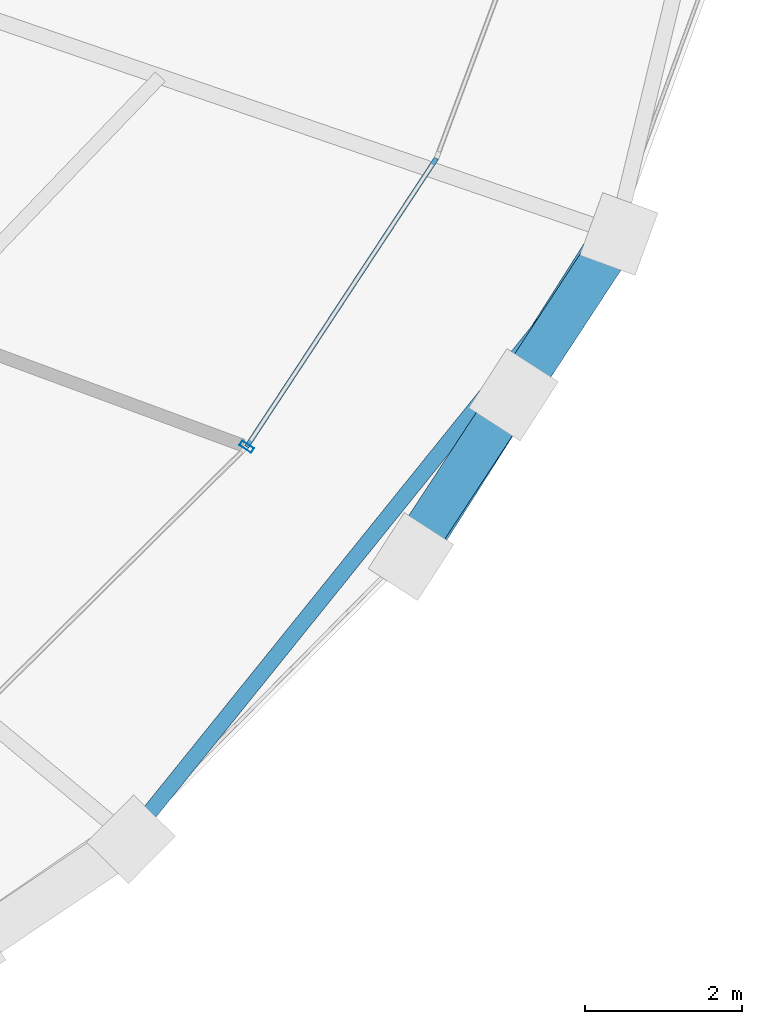
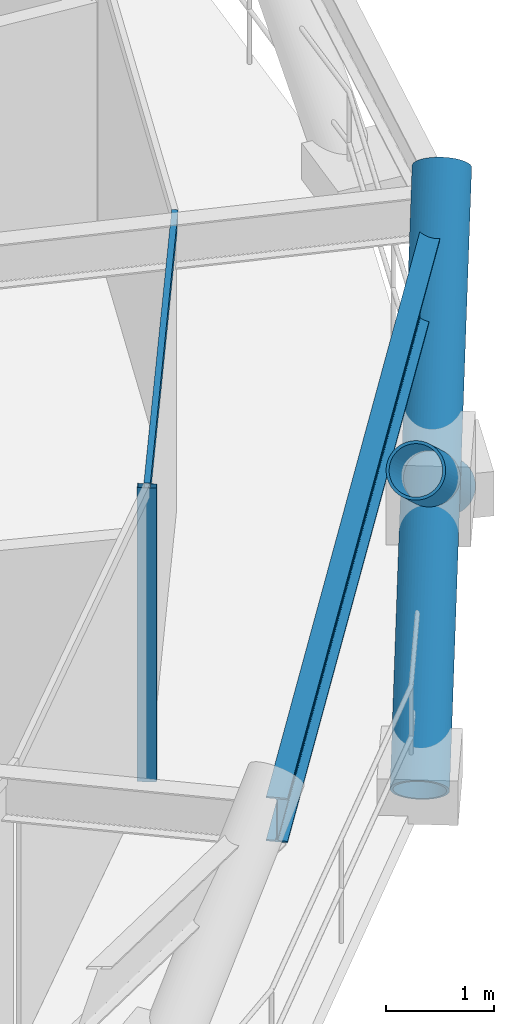
# One storey, part 6 of 20: 5 members, 1 beam, 1 element without a shape of its own.
"""IFC4 building model written with IfcOpenShell, lengths in metres."""

import ifcopenshell
import ifcopenshell.guid

model = None  # the IFC model being written
_history = None  # IfcOwnerHistory: only IFC2X3 demands one
_inside = {}  # id of a spatial element -> (the spatial element, [elements in it])
_under = {}  # id of a project, library or spatial element -> (it, [spatial elements below it])
_declared = {}  # id of a project -> (the project, [libraries it declares])
_typed = {}  # id of a type object -> (the type object, [elements of that type])
_made_of = {}  # id of a material, layer set ... -> (it, [elements and type objects made of it])


def new_model(schema):
    """Start an empty IFC model of exactly this schema.

    Asked for "IFC4X3", IfcOpenShell would pick the latest addendum, in which some entities
    have other attributes; the version numbers below select the first issue.
    IFC2X3 requires an IfcOwnerHistory on every rooted entity: one is made here for all.
    """
    global model, _history
    if schema == "IFC4X3":
        model = ifcopenshell.file(schema_version=(4, 3, 0, 0))
    else:
        model = ifcopenshell.file(schema=schema)
    _inside.clear()
    _under.clear()
    _declared.clear()
    _typed.clear()
    _made_of.clear()
    _history = None
    if model.schema == "IFC2X3":
        org = make("IfcOrganization", Name="unknown")
        user = make(
            "IfcPersonAndOrganization",
            ThePerson=make("IfcPerson", FamilyName="unknown"),
            TheOrganization=org,
        )
        app = make(
            "IfcApplication",
            ApplicationDeveloper=org,
            Version="unknown",
            ApplicationFullName="unknown",
            ApplicationIdentifier="unknown",
        )
        _history = make(
            "IfcOwnerHistory",
            OwningUser=user,
            OwningApplication=app,
            ChangeAction="ADDED",
            CreationDate=0,
        )
    return model


def make(cls, **values):
    """One entity of the class cls with the attributes given. An attribute that is None is left unset."""
    return model.create_entity(
        cls, **{name: value for name, value in values.items() if value is not None}
    )


def rooted(cls, **values):
    """An entity with a GlobalId (a new one), such as an element, a storey or a relation."""
    return make(cls, GlobalId=ifcopenshell.guid.new(), OwnerHistory=_history, **values)


def si_unit(unit_type, name, prefix=None):
    """IfcSIUnit, for example si_unit("LENGTHUNIT", "METRE", prefix="MILLI")."""
    return make("IfcSIUnit", UnitType=unit_type, Prefix=prefix, Name=name)


def assignment(units):
    """IfcUnitAssignment: the units of a project."""
    return None if units is None else make("IfcUnitAssignment", Units=units)


def point(xyz):
    """IfcCartesianPoint."""
    return None if xyz is None else make("IfcCartesianPoint", Coordinates=xyz)


def direction(xyz):
    """IfcDirection."""
    return None if xyz is None else make("IfcDirection", DirectionRatios=xyz)


def frame(location, z_axis=None, x_axis=None):
    """IfcAxis2Placement3D, a coordinate frame: its origin and axes. An axis left out is left unset."""
    return make(
        "IfcAxis2Placement3D",
        Location=point(location),
        Axis=direction(z_axis),
        RefDirection=direction(x_axis),
    )


def frame_2d(location, x_axis=None):
    """IfcAxis2Placement2D, a coordinate frame in the plane: its origin and x axis."""
    return make(
        "IfcAxis2Placement2D", Location=point(location), RefDirection=direction(x_axis)
    )


def origin():
    """The frame at (0, 0, 0) with its axes left unset."""
    return frame((0.0, 0.0, 0.0))


def origin_2d():
    """The frame at (0, 0) in the plane with its x axis left unset."""
    return frame_2d((0.0, 0.0))


def place(relative_to, where):
    """IfcLocalPlacement: puts the frame where relative to a parent placement (None: the world)."""
    return make(
        "IfcLocalPlacement", PlacementRelTo=relative_to, RelativePlacement=where
    )


def context(
    kind, dimensions, precision=None, world=None, true_north=None, identifier=None
):
    """IfcGeometricRepresentationContext, for example the 3D "Model" context."""
    return make(
        "IfcGeometricRepresentationContext",
        ContextIdentifier=identifier,
        ContextType=kind,
        CoordinateSpaceDimension=dimensions,
        Precision=precision,
        WorldCoordinateSystem=world,
        TrueNorth=true_north,
    )


def subcontext(parent, identifier, kind, view, scale=None):
    """IfcGeometricRepresentationSubContext, for example "Body" below "Model"."""
    return make(
        "IfcGeometricRepresentationSubContext",
        ContextIdentifier=identifier,
        ContextType=kind,
        ParentContext=parent,
        TargetScale=scale,
        TargetView=view,
    )


def project(units=None, contexts=None):
    """IfcProject with its units and contexts."""
    return rooted(
        "IfcProject",
        Name="project",
        RepresentationContexts=contexts,
        UnitsInContext=assignment(units),
    )


def spatial(cls, under=None, at=None, **own):
    """A site, building, storey or space (cls), placed at a placement, below another one or the project."""
    s = rooted(cls, ObjectPlacement=at, **own)
    if under is not None:
        _under.setdefault(under.id(), (under, []))[1].append(s)
    return s


def profile(cls, at=None, kind="AREA", **sizes):
    """A parametric profile (cls). Its sizes go by their IFC names, for example OverallWidth=200.0."""
    return make(cls, ProfileType=kind, Position=at, **sizes)


def hollow_rectangle(**sizes):
    """IfcRectangleHollowProfileDef."""
    return profile("IfcRectangleHollowProfileDef", **sizes)


def hollow_circle(**sizes):
    """IfcCircleHollowProfileDef."""
    return profile("IfcCircleHollowProfileDef", **sizes)


def i_section(**sizes):
    """IfcIShapeProfileDef."""
    return profile("IfcIShapeProfileDef", **sizes)


def extrude(swept, where, along, depth):
    """IfcExtrudedAreaSolid: the profile swept, set in the frame where, extruded along a direction by depth."""
    return make(
        "IfcExtrudedAreaSolid",
        SweptArea=swept,
        Position=where,
        ExtrudedDirection=direction(along),
        Depth=depth,
    )


def shape(context_of_items, identifier, shape_type, items):
    """IfcShapeRepresentation: the items that make up one representation, for example the "Body"."""
    return make(
        "IfcShapeRepresentation",
        ContextOfItems=context_of_items,
        RepresentationIdentifier=identifier,
        RepresentationType=shape_type,
        Items=items,
    )


def material(Name=None, Category=None):
    """IfcMaterial."""
    return make("IfcMaterial", Name=Name, Category=Category)


def layer(
    of_material, thickness, ventilated=None, Name=None, Category=None, Priority=None
):
    """IfcMaterialLayer: one layer of a wall or slab, of a material (None: an air gap)."""
    return make(
        "IfcMaterialLayer",
        Material=of_material,
        LayerThickness=thickness,
        IsVentilated=ventilated,
        Name=Name,
        Category=Category,
        Priority=Priority,
    )


def layer_set(layers, Name=None):
    """IfcMaterialLayerSet."""
    return make("IfcMaterialLayerSet", MaterialLayers=layers, LayerSetName=Name)


def material_profile(
    of_material, cross_section, Name=None, Category=None, Priority=None
):
    """IfcMaterialProfile: a cross section and its material."""
    return make(
        "IfcMaterialProfile",
        Name=Name,
        Material=of_material,
        Profile=cross_section,
        Priority=Priority,
        Category=Category,
    )


def profile_set(profiles, Name=None, composite=None):
    """IfcMaterialProfileSet."""
    return make(
        "IfcMaterialProfileSet",
        Name=Name,
        MaterialProfiles=profiles,
        CompositeProfile=composite,
    )


def made_of(thing, what):
    """Note that an element or type object is made of a material, layer set ...; save() writes the relation."""
    if what is not None:
        _made_of.setdefault(what.id(), (what, []))[1].append(thing)
    return thing


def type_object(cls, material=None, **own):
    """A type object (cls), such as IfcWallType, which elements share."""
    return made_of(rooted(cls, **own), material)


def element(
    cls,
    number,
    at=None,
    inside=None,
    cuts=None,
    type_object=None,
    material=None,
    context=None,
    identifier="Body",
    shape_type=None,
    held_by="IfcProductDefinitionShape",
    body=None,
    shapes=None,
    **own,
):
    """One element of the class cls, such as IfcWall. Its Tag is "e" and its number.

    at: its placement. inside: the storey or other place that contains it. cuts: it is an
    opening in that element (IfcRelVoidsElement). A single representation is given by context,
    identifier, shape_type and body (its items); several are given by shapes. held_by: the class
    of the entity that holds the representations. save() writes the other relations.
    """
    e = rooted(cls, Tag="e%d" % number, ObjectPlacement=at, **own)
    if body is not None:
        shapes = [shape(context, identifier, shape_type, body)]
    if shapes is not None:
        e.Representation = make(held_by, Representations=shapes)
    if inside is not None:
        _inside.setdefault(inside.id(), (inside, []))[1].append(e)
    if cuts is not None:
        rooted(
            "IfcRelVoidsElement", RelatingBuildingElement=cuts, RelatedOpeningElement=e
        )
    if type_object is not None:
        _typed.setdefault(type_object.id(), (type_object, []))[1].append(e)
    return made_of(e, material)


def aggregate(whole, parts):
    """IfcRelAggregates: a whole, such as a stair, and the parts it consists of."""
    return rooted("IfcRelAggregates", RelatingObject=whole, RelatedObjects=parts)


def save(model, path):
    """Write the relations noted so far, then the file.

    IfcRelAggregates (storeys below a building ...), IfcRelContainedInSpatialStructure (elements
    in a storey), IfcRelDefinesByType, IfcRelAssociatesMaterial and IfcRelDeclares: one each for
    every whole, place, type object, material and project.
    """
    for whole, parts in _under.values():
        aggregate(whole, parts)
    for where, things in _inside.values():
        rooted(
            "IfcRelContainedInSpatialStructure",
            RelatedElements=things,
            RelatingStructure=where,
        )
    for kind, things in _typed.values():
        rooted("IfcRelDefinesByType", RelatedObjects=things, RelatingType=kind)
    for what, things in _made_of.values():
        rooted("IfcRelAssociatesMaterial", RelatedObjects=things, RelatingMaterial=what)
    for by, libraries in _declared.values():
        rooted("IfcRelDeclares", RelatingContext=by, RelatedDefinitions=libraries)
    model.write(path)


model = new_model("IFC4")

# Units and contexts
model_context = context("Model", 3, precision=1e-05, world=origin(), true_north=direction((0.0, 1.0)))
body_context = subcontext(model_context, "Body", "Model", "MODEL_VIEW")
ifc_project = project(units=[si_unit("LENGTHUNIT", "METRE"), si_unit("AREAUNIT", "SQUARE_METRE"), si_unit("VOLUMEUNIT", "CUBIC_METRE"), si_unit("PLANEANGLEUNIT", "RADIAN"), si_unit("MASSUNIT", "GRAM", prefix="KILO")], contexts=[model_context])

# Site, building, storey
site_placement = place(None, origin())
site = spatial("IfcSite", under=ifc_project, at=site_placement, CompositionType="ELEMENT")
building_placement = place(site_placement, origin())
building = spatial("IfcBuilding", under=site, at=building_placement, Name="Veldorina Hangang Commons", CompositionType="ELEMENT")
storey_placement = place(building_placement, frame((0.0, 0.0, 117.199951171875)))
storey = spatial("IfcBuildingStorey", under=building, at=storey_placement, Name="L29", CompositionType="ELEMENT", Elevation=117.199951171875)

# Beam
ifc_material_1 = material(Name="Steel SM420-TMC", Category="steel")
ifc_material_profile_1 = material_profile(ifc_material_1, i_section(OverallWidth=0.199951171875, OverallDepth=0.5, WebThickness=0.010009765625, FlangeThickness=0.01611328125, FilletRadius=0.01611328125, at=origin_2d()), Name="H-500x200x10x16")
ifc_profile_set_1 = profile_set([ifc_material_profile_1], Name="Steel SM420-TMC")
beam_type = type_object("IfcBeamType", Name="BM-RB500", PredefinedType="BEAM", material=ifc_profile_set_1)
beam_placement = place(storey_placement, frame((52.2744140625, 7.191650390625, 3.10009765625), z_axis=(0.627537549374, 0.778586298444, 0.0), x_axis=(-0.778586298444, 0.627537549374, 0.0)))
element("IfcBeam", 1, at=beam_placement, inside=storey, type_object=beam_type, Name="L29 perimeter hoop ring beam 28", PredefinedType="BEAM", context=body_context, shape_type="SweptSolid", body=[
    extrude(i_section(OverallWidth=0.199951171875, OverallDepth=0.5, WebThickness=0.010009765625, FlangeThickness=0.01611328125, FilletRadius=0.01611328125, at=origin_2d()), origin(), (0.0, 0.0, 1.0), 9.90478515625),
])

# Curtain wall, members
ifc_material_2 = material(Name="Glass Low-E Triple IGU", Category="glass")
ifc_layer = layer(ifc_material_2, 0.179931640625)
ifc_layer_set = layer_set([ifc_layer], Name="Glass Low-E Triple IGU")
curtain_wall_type = type_object("IfcCurtainWallType", Name="CW-SYS-Z2", PredefinedType="NOTDEFINED", material=ifc_layer_set)
curtain_wall_placement = place(storey_placement, origin())
curtain_wall = element("IfcCurtainWall", 2, at=curtain_wall_placement, inside=storey, type_object=curtain_wall_type, Name="L29 unitised curtain wall CW-L29-R2", PredefinedType="NOTDEFINED")
ifc_material_3 = material(Name="Aluminium Anodized AA6063-T6", Category="aluminium")
ifc_material_profile_2 = material_profile(ifc_material_3, hollow_rectangle(XDim=0.070068359375, YDim=0.179931640625, WallThickness=0.00390625, at=origin_2d()), Name="ALU-RHS-180x70x4")
ifc_profile_set_2 = profile_set([ifc_material_profile_2], Name="Aluminium Anodized AA6063-T6")
member_type_1 = type_object("IfcMemberType", Name="CW-MUL-180", PredefinedType="MULLION", material=ifc_profile_set_2)
member_1_placement = place(storey_placement, frame((53.773193359375, 12.180419921875, 0.0), z_axis=(0.0, 0.0, 1.0), x_axis=(0.549635349231, 0.8354046821, 0.0)))
member_1 = element("IfcMember", 3, at=member_1_placement, type_object=member_type_1, Name="CW-L29-R2 vertical mullion 2", PredefinedType="MULLION", context=body_context, shape_type="SweptSolid", body=[
    extrude(hollow_rectangle(XDim=0.070068359375, YDim=0.179931640625, WallThickness=0.00390625, at=origin_2d()), origin(), (0.0, 0.0, 1.0), 3.31005859375),
])
ifc_material_profile_3 = material_profile(ifc_material_3, hollow_rectangle(XDim=0.06005859375, YDim=0.139892578125, WallThickness=0.00341796875, at=origin_2d()), Name="ALU-RHS-140x60x3.5")
ifc_profile_set_3 = profile_set([ifc_material_profile_3], Name="Aluminium Anodized AA6063-T6")
member_type_2 = type_object("IfcMemberType", Name="CW-TRN-140", PredefinedType="USERDEFINED", material=ifc_profile_set_3)
member_2_placement = place(storey_placement, frame((53.773193359375, 12.180419921875, 3.27001953125), z_axis=(0.549622611974, 0.835413062147, 0.0), x_axis=(-0.835413062147, 0.549622611974, 0.0)))
member_2 = element("IfcMember", 4, at=member_2_placement, type_object=member_type_2, Name="CW-L29-R2 facet 3 transom 1", ObjectType="TRANSOM", PredefinedType="USERDEFINED", context=body_context, shape_type="SweptSolid", body=[
    extrude(hollow_rectangle(XDim=0.06005859375, YDim=0.139892578125, WallThickness=0.00341796875, at=origin_2d()), origin(), (0.0, 0.0, 1.0), 4.40283203125),
])
aggregate(curtain_wall, [member_1, member_2])

# Members
ifc_material_profile_4 = material_profile(ifc_material_1, hollow_circle(Radius=0.27490234375, WallThickness=0.028076171875, at=origin_2d()), Name="CHS-550x28")
ifc_profile_set_4 = profile_set([ifc_material_profile_4], Name="Steel SM420-TMC")
member_type_3 = type_object("IfcMemberType", Name="DG-CHS550", PredefinedType="BRACE", material=ifc_profile_set_4)
member_3_placement = place(storey_placement, frame((55.86865234375, 10.780517578125, 0.0), z_axis=(0.431182636515, 0.679728282815, 0.593338853868), x_axis=(-0.844432475823, 0.535662014498, 0.0)))
element("IfcMember", 5, at=member_3_placement, inside=storey, type_object=member_type_3, Name="L29 continuous perimeter diagrid brace 29", PredefinedType="BRACE", context=body_context, shape_type="SweptSolid", body=[
    extrude(hollow_circle(Radius=0.27490234375, WallThickness=0.028076171875, at=origin_2d()), origin(), (0.0, 0.0, 1.0), 6.067626953125),
])
member_4_placement = place(storey_placement, frame((58.521240234375, 14.894287109375, 0.0), z_axis=(-0.441728277996, -0.673988749747, 0.592127767997), x_axis=(0.836376109785, -0.548156002412, 0.0)))
element("IfcMember", 6, at=member_4_placement, inside=storey, type_object=member_type_3, Name="L29 split perimeter diagrid lower brace 30", PredefinedType="BRACE", context=body_context, shape_type="SweptSolid", body=[
    extrude(hollow_circle(Radius=0.27490234375, WallThickness=0.028076171875, at=origin_2d()), origin(), (0.0, 0.0, 1.0), 3.0419921875),
])
member_5_placement = place(storey_placement, frame((57.177490234375, 12.843994140625, 1.80126953125), z_axis=(-0.441636350219, -0.674106139372, 0.592062705316), x_axis=(0.836472162279, -0.548009417557, 0.0)))
element("IfcMember", 7, at=member_5_placement, inside=storey, type_object=member_type_3, Name="L29 split perimeter diagrid upper brace 30", PredefinedType="BRACE", context=body_context, shape_type="SweptSolid", body=[
    extrude(hollow_circle(Radius=0.27490234375, WallThickness=0.028076171875, at=origin_2d()), origin(), (0.0, 0.0, 1.0), 3.038330078125),
])

save(model, "model.ifc")
